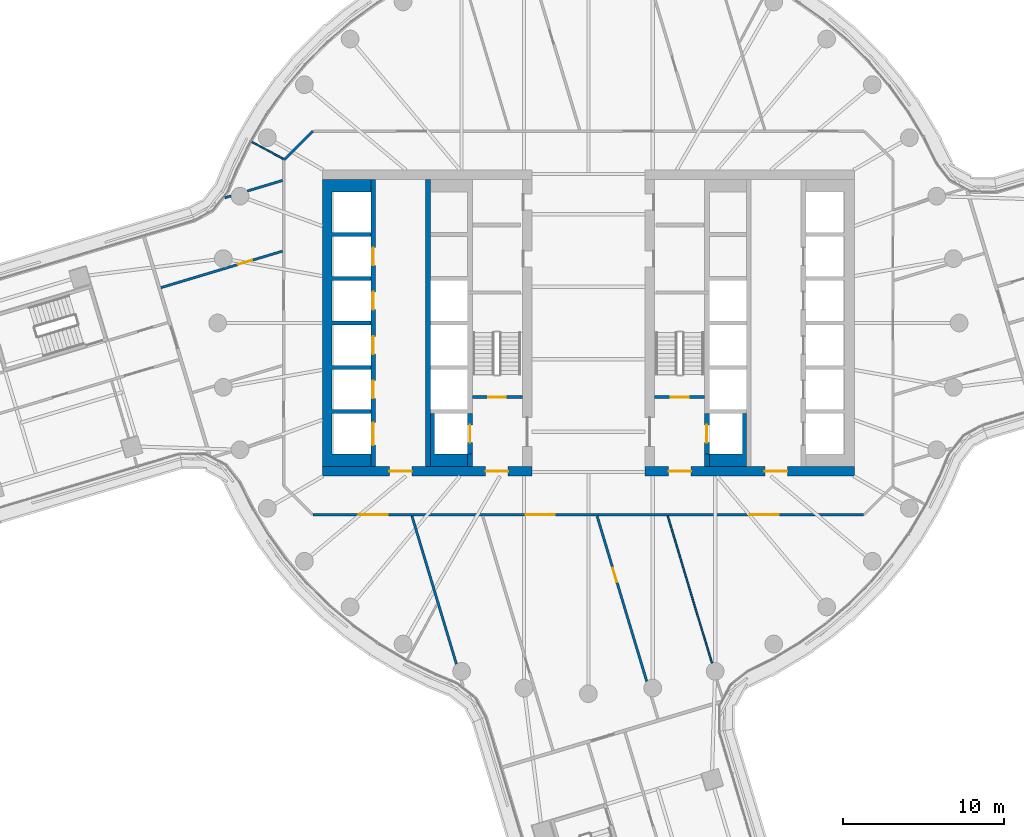
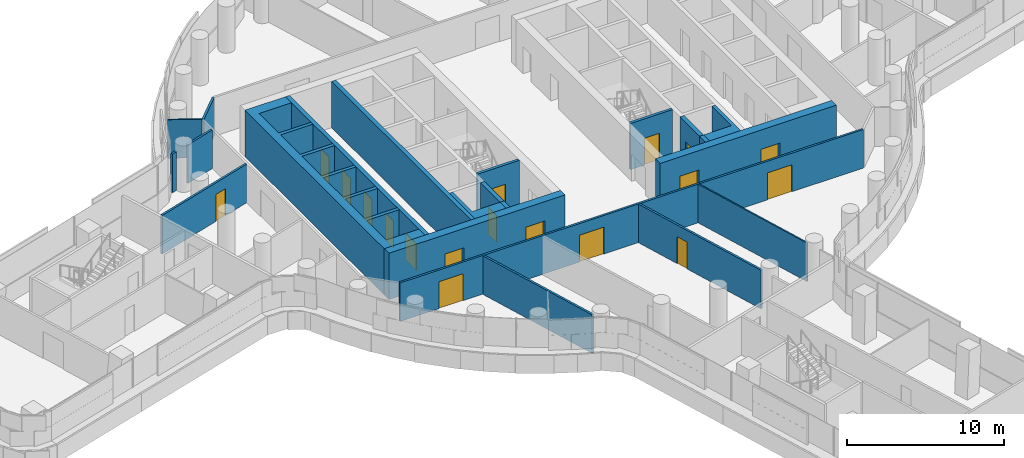
# One storey, part 19 of 32: 22 walls, 18 doors, 18 openings.
"""IFC4 building model written with IfcOpenShell, lengths in metres."""

import ifcopenshell
import ifcopenshell.guid

model = None  # the IFC model being written
_history = None  # IfcOwnerHistory: only IFC2X3 demands one
_inside = {}  # id of a spatial element -> (the spatial element, [elements in it])
_under = {}  # id of a project, library or spatial element -> (it, [spatial elements below it])
_declared = {}  # id of a project -> (the project, [libraries it declares])
_typed = {}  # id of a type object -> (the type object, [elements of that type])
_made_of = {}  # id of a material, layer set ... -> (it, [elements and type objects made of it])


def new_model(schema):
    """Start an empty IFC model of exactly this schema.

    Asked for "IFC4X3", IfcOpenShell would pick the latest addendum, in which some entities
    have other attributes; the version numbers below select the first issue.
    IFC2X3 requires an IfcOwnerHistory on every rooted entity: one is made here for all.
    """
    global model, _history
    if schema == "IFC4X3":
        model = ifcopenshell.file(schema_version=(4, 3, 0, 0))
    else:
        model = ifcopenshell.file(schema=schema)
    _inside.clear()
    _under.clear()
    _declared.clear()
    _typed.clear()
    _made_of.clear()
    _history = None
    if model.schema == "IFC2X3":
        org = make("IfcOrganization", Name="unknown")
        user = make(
            "IfcPersonAndOrganization",
            ThePerson=make("IfcPerson", FamilyName="unknown"),
            TheOrganization=org,
        )
        app = make(
            "IfcApplication",
            ApplicationDeveloper=org,
            Version="unknown",
            ApplicationFullName="unknown",
            ApplicationIdentifier="unknown",
        )
        _history = make(
            "IfcOwnerHistory",
            OwningUser=user,
            OwningApplication=app,
            ChangeAction="ADDED",
            CreationDate=0,
        )
    return model


def make(cls, **values):
    """One entity of the class cls with the attributes given. An attribute that is None is left unset."""
    return model.create_entity(
        cls, **{name: value for name, value in values.items() if value is not None}
    )


def rooted(cls, **values):
    """An entity with a GlobalId (a new one), such as an element, a storey or a relation."""
    return make(cls, GlobalId=ifcopenshell.guid.new(), OwnerHistory=_history, **values)


def si_unit(unit_type, name, prefix=None):
    """IfcSIUnit, for example si_unit("LENGTHUNIT", "METRE", prefix="MILLI")."""
    return make("IfcSIUnit", UnitType=unit_type, Prefix=prefix, Name=name)


def assignment(units):
    """IfcUnitAssignment: the units of a project."""
    return None if units is None else make("IfcUnitAssignment", Units=units)


def point(xyz):
    """IfcCartesianPoint."""
    return None if xyz is None else make("IfcCartesianPoint", Coordinates=xyz)


def direction(xyz):
    """IfcDirection."""
    return None if xyz is None else make("IfcDirection", DirectionRatios=xyz)


def frame(location, z_axis=None, x_axis=None):
    """IfcAxis2Placement3D, a coordinate frame: its origin and axes. An axis left out is left unset."""
    return make(
        "IfcAxis2Placement3D",
        Location=point(location),
        Axis=direction(z_axis),
        RefDirection=direction(x_axis),
    )


def frame_2d(location, x_axis=None):
    """IfcAxis2Placement2D, a coordinate frame in the plane: its origin and x axis."""
    return make(
        "IfcAxis2Placement2D", Location=point(location), RefDirection=direction(x_axis)
    )


def origin():
    """The frame at (0, 0, 0) with its axes left unset."""
    return frame((0.0, 0.0, 0.0))


def place(relative_to, where):
    """IfcLocalPlacement: puts the frame where relative to a parent placement (None: the world)."""
    return make(
        "IfcLocalPlacement", PlacementRelTo=relative_to, RelativePlacement=where
    )


def context(
    kind, dimensions, precision=None, world=None, true_north=None, identifier=None
):
    """IfcGeometricRepresentationContext, for example the 3D "Model" context."""
    return make(
        "IfcGeometricRepresentationContext",
        ContextIdentifier=identifier,
        ContextType=kind,
        CoordinateSpaceDimension=dimensions,
        Precision=precision,
        WorldCoordinateSystem=world,
        TrueNorth=true_north,
    )


def subcontext(parent, identifier, kind, view, scale=None):
    """IfcGeometricRepresentationSubContext, for example "Body" below "Model"."""
    return make(
        "IfcGeometricRepresentationSubContext",
        ContextIdentifier=identifier,
        ContextType=kind,
        ParentContext=parent,
        TargetScale=scale,
        TargetView=view,
    )


def project(units=None, contexts=None):
    """IfcProject with its units and contexts."""
    return rooted(
        "IfcProject",
        Name="project",
        RepresentationContexts=contexts,
        UnitsInContext=assignment(units),
    )


def spatial(cls, under=None, at=None, **own):
    """A site, building, storey or space (cls), placed at a placement, below another one or the project."""
    s = rooted(cls, ObjectPlacement=at, **own)
    if under is not None:
        _under.setdefault(under.id(), (under, []))[1].append(s)
    return s


def polyline(points):
    """IfcPolyline through the points."""
    return make("IfcPolyline", Points=[point(p) for p in points])


def profile(cls, at=None, kind="AREA", **sizes):
    """A parametric profile (cls). Its sizes go by their IFC names, for example OverallWidth=200.0."""
    return make(cls, ProfileType=kind, Position=at, **sizes)


def rectangle(**sizes):
    """IfcRectangleProfileDef."""
    return profile("IfcRectangleProfileDef", **sizes)


def outline(outer, holes=None, kind="AREA"):
    """IfcArbitraryClosedProfileDef: a profile drawn as a closed curve; with holes, ...WithVoids."""
    if holes is None:
        return make("IfcArbitraryClosedProfileDef", ProfileType=kind, OuterCurve=outer)
    return make(
        "IfcArbitraryProfileDefWithVoids",
        ProfileType=kind,
        OuterCurve=outer,
        InnerCurves=holes,
    )


def extrude(swept, where, along, depth):
    """IfcExtrudedAreaSolid: the profile swept, set in the frame where, extruded along a direction by depth."""
    return make(
        "IfcExtrudedAreaSolid",
        SweptArea=swept,
        Position=where,
        ExtrudedDirection=direction(along),
        Depth=depth,
    )


def shape(context_of_items, identifier, shape_type, items):
    """IfcShapeRepresentation: the items that make up one representation, for example the "Body"."""
    return make(
        "IfcShapeRepresentation",
        ContextOfItems=context_of_items,
        RepresentationIdentifier=identifier,
        RepresentationType=shape_type,
        Items=items,
    )


def material(Name=None, Category=None):
    """IfcMaterial."""
    return make("IfcMaterial", Name=Name, Category=Category)


def layer(
    of_material, thickness, ventilated=None, Name=None, Category=None, Priority=None
):
    """IfcMaterialLayer: one layer of a wall or slab, of a material (None: an air gap)."""
    return make(
        "IfcMaterialLayer",
        Material=of_material,
        LayerThickness=thickness,
        IsVentilated=ventilated,
        Name=Name,
        Category=Category,
        Priority=Priority,
    )


def layer_set(layers, Name=None):
    """IfcMaterialLayerSet."""
    return make("IfcMaterialLayerSet", MaterialLayers=layers, LayerSetName=Name)


def made_of(thing, what):
    """Note that an element or type object is made of a material, layer set ...; save() writes the relation."""
    if what is not None:
        _made_of.setdefault(what.id(), (what, []))[1].append(thing)
    return thing


def type_object(cls, material=None, **own):
    """A type object (cls), such as IfcWallType, which elements share."""
    return made_of(rooted(cls, **own), material)


def element(
    cls,
    number,
    at=None,
    inside=None,
    cuts=None,
    type_object=None,
    material=None,
    context=None,
    identifier="Body",
    shape_type=None,
    held_by="IfcProductDefinitionShape",
    body=None,
    shapes=None,
    **own,
):
    """One element of the class cls, such as IfcWall. Its Tag is "e" and its number.

    at: its placement. inside: the storey or other place that contains it. cuts: it is an
    opening in that element (IfcRelVoidsElement). A single representation is given by context,
    identifier, shape_type and body (its items); several are given by shapes. held_by: the class
    of the entity that holds the representations. save() writes the other relations.
    """
    e = rooted(cls, Tag="e%d" % number, ObjectPlacement=at, **own)
    if body is not None:
        shapes = [shape(context, identifier, shape_type, body)]
    if shapes is not None:
        e.Representation = make(held_by, Representations=shapes)
    if inside is not None:
        _inside.setdefault(inside.id(), (inside, []))[1].append(e)
    if cuts is not None:
        rooted(
            "IfcRelVoidsElement", RelatingBuildingElement=cuts, RelatedOpeningElement=e
        )
    if type_object is not None:
        _typed.setdefault(type_object.id(), (type_object, []))[1].append(e)
    return made_of(e, material)


def fill(opening, filler):
    """IfcRelFillsElement: the door or window that sits in an opening."""
    return rooted(
        "IfcRelFillsElement",
        RelatingOpeningElement=opening,
        RelatedBuildingElement=filler,
    )


def aggregate(whole, parts):
    """IfcRelAggregates: a whole, such as a stair, and the parts it consists of."""
    return rooted("IfcRelAggregates", RelatingObject=whole, RelatedObjects=parts)


def save(model, path):
    """Write the relations noted so far, then the file.

    IfcRelAggregates (storeys below a building ...), IfcRelContainedInSpatialStructure (elements
    in a storey), IfcRelDefinesByType, IfcRelAssociatesMaterial and IfcRelDeclares: one each for
    every whole, place, type object, material and project.
    """
    for whole, parts in _under.values():
        aggregate(whole, parts)
    for where, things in _inside.values():
        rooted(
            "IfcRelContainedInSpatialStructure",
            RelatedElements=things,
            RelatingStructure=where,
        )
    for kind, things in _typed.values():
        rooted("IfcRelDefinesByType", RelatedObjects=things, RelatingType=kind)
    for what, things in _made_of.values():
        rooted("IfcRelAssociatesMaterial", RelatedObjects=things, RelatingMaterial=what)
    for by, libraries in _declared.values():
        rooted("IfcRelDeclares", RelatingContext=by, RelatedDefinitions=libraries)
    model.write(path)


model = new_model("IFC4")

# Units and contexts
model_context = context("Model", 3, precision=1e-05, world=origin(), true_north=direction((0.0, 1.0)))
body_context = subcontext(model_context, "Body", "Model", "MODEL_VIEW")
ifc_project = project(units=[si_unit("LENGTHUNIT", "METRE"), si_unit("AREAUNIT", "SQUARE_METRE"), si_unit("VOLUMEUNIT", "CUBIC_METRE"), si_unit("PLANEANGLEUNIT", "RADIAN"), si_unit("MASSUNIT", "GRAM", prefix="KILO")], contexts=[model_context])

# Site, building, storey
site_placement = place(None, origin())
site = spatial("IfcSite", under=ifc_project, at=site_placement, CompositionType="ELEMENT")
building_placement = place(site_placement, origin())
building = spatial("IfcBuilding", under=site, at=building_placement, Name="Tamarind Cross Interchange Tower", CompositionType="ELEMENT")
storey_placement = place(building_placement, frame((0.0, 0.0, 94.75)))
storey = spatial("IfcBuildingStorey", under=building, at=storey_placement, Name="L22", CompositionType="ELEMENT", Elevation=94.75)

# Wall, openings, doors
ifc_material_1 = material(Name="Concrete C70", Category="concrete")
ifc_layer_1 = layer(ifc_material_1, 0.60009765625)
ifc_layer_set_1 = layer_set([ifc_layer_1], Name="Concrete C70")
wall_type_1 = type_object("IfcWallType", Name="Core wall 600 mm Concrete C70", PredefinedType="SHEAR", material=ifc_layer_set_1)
wall_1_placement = place(storey_placement, frame((-16.5, -9.199951171875, 0.0), z_axis=(0.0, 0.0, 1.0), x_axis=(1.0, 0.0, 0.0)))
wall_1 = element("IfcWall", 1, at=wall_1_placement, inside=storey, type_object=wall_type_1, Name="Core wall CWL-L22-W-S", PredefinedType="SHEAR", context=body_context, shape_type="SweptSolid", body=[
    extrude(rectangle(XDim=13.0, YDim=0.60009765625, at=frame_2d((6.5, 0.0))), origin(), (0.0, 0.0, 1.0), 3.610107421875),
])
opening_1_placement = place(wall_1_placement, frame((4.14990234375, 0.0, 0.0)))
opening_1 = element("IfcOpeningElement", 2, at=opening_1_placement, cuts=wall_1, Name="Opening DCW1", PredefinedType="OPENING", context=body_context, shape_type="SweptSolid", body=[
    extrude(rectangle(XDim=1.39990234375, YDim=2.10009765625, at=frame_2d((0.699951171875, 1.050048828125))), frame((0.0, 0.31005859375, 0.0), z_axis=(0.0, -1.0, 0.0), x_axis=(1.0, 0.0, 0.0)), (0.0, 0.0, 1.0), 0.6201171875),
])
opening_2_placement = place(wall_1_placement, frame((10.125, 0.0, 0.0)))
opening_2 = element("IfcOpeningElement", 3, at=opening_2_placement, cuts=wall_1, Name="Opening DCWF", PredefinedType="OPENING", context=body_context, shape_type="SweptSolid", body=[
    extrude(rectangle(XDim=1.39990234375, YDim=2.10009765625, at=frame_2d((0.699951171875, 1.050048828125))), frame((0.0, 0.31005859375, 0.0), z_axis=(0.0, -1.0, 0.0), x_axis=(1.0, 0.0, 0.0)), (0.0, 0.0, 1.0), 0.6201171875),
])
ifc_material_2 = material(Name="Steel, fire-resisting", Category="steel")
door_type_1 = type_object("IfcDoorType", Name="Core fire door 1400 x 2100 FD90", OperationType="SINGLE_SWING_LEFT", PredefinedType="DOOR", material=ifc_material_2)
door_1_placement = place(opening_1_placement, origin())
door_1 = element("IfcDoor", 4, at=door_1_placement, inside=storey, type_object=door_type_1, Name="L22 lift lobby door", OperationType="SINGLE_SWING_LEFT", OverallHeight=2.10009765625, OverallWidth=1.39990234375, PredefinedType="DOOR", context=body_context, shape_type="SweptSolid", body=[
    extrude(rectangle(XDim=1.39990234375, YDim=2.10009765625, at=frame_2d((0.699951171875, 1.050048828125))), frame((0.0, 0.02490234375, 0.0), z_axis=(0.0, -1.0, 0.0), x_axis=(1.0, 0.0, 0.0)), (0.0, 0.0, 1.0), 0.050048828125),
])
fill(opening_1, door_1)
door_2_placement = place(opening_2_placement, origin())
door_2 = element("IfcDoor", 5, at=door_2_placement, inside=storey, type_object=door_type_1, Name="L22 firefighting lobby end door", OperationType="SINGLE_SWING_LEFT", OverallHeight=2.10009765625, OverallWidth=1.39990234375, PredefinedType="DOOR", context=body_context, shape_type="SweptSolid", body=[
    extrude(rectangle(XDim=1.39990234375, YDim=2.10009765625, at=frame_2d((0.699951171875, 1.050048828125))), frame((0.0, 0.02490234375, 0.0), z_axis=(0.0, -1.0, 0.0), x_axis=(1.0, 0.0, 0.0)), (0.0, 0.0, 1.0), 0.050048828125),
])
fill(opening_2, door_2)

# Wall
wall_2_placement = place(storey_placement, origin())
element("IfcWall", 6, at=wall_2_placement, inside=storey, type_object=wall_type_1, Name="Core wall CWL-L22-W-A", PredefinedType="SHEAR", context=body_context, shape_type="SweptSolid", body=[
    extrude(outline(polyline([(-13.5, -8.89990234375), (-13.5, -8.125), (-15.89990234375, -8.125), (-15.89990234375, -5.625), (-13.5, -5.625), (-13.5, -5.375), (-15.89990234375, -5.375), (-15.89990234375, -2.875), (-13.5, -2.875), (-13.5, -2.625), (-15.89990234375, -2.625), (-15.89990234375, -0.125), (-13.5, -0.125), (-13.5, 0.125), (-15.89990234375, 0.125), (-15.89990234375, 2.625), (-13.5, 2.625), (-13.5, 2.875), (-15.89990234375, 2.875), (-15.89990234375, 5.375), (-13.5, 5.375), (-13.5, 5.625), (-15.89990234375, 5.625), (-15.89990234375, 8.125), (-13.5, 8.125), (-13.5, 8.89990234375), (-15.89990234375, 8.89990234375), (-16.5, 8.89990234375), (-16.5, -8.89990234375), (-15.89990234375, -8.89990234375), (-13.5, -8.89990234375)])), origin(), (0.0, 0.0, 1.0), 3.610107421875),
])

# Wall, openings, doors
wall_3_placement = place(storey_placement, frame((16.5, -9.199951171875, 0.0), z_axis=(0.0, 0.0, 1.0), x_axis=(-1.0, 0.0, 0.0)))
wall_3 = element("IfcWall", 7, at=wall_3_placement, inside=storey, type_object=wall_type_1, Name="Core wall CWL-L22-E-S", PredefinedType="SHEAR", context=body_context, shape_type="SweptSolid", body=[
    extrude(rectangle(XDim=13.0, YDim=0.60009765625, at=frame_2d((6.5, 0.0))), origin(), (0.0, 0.0, 1.0), 3.610107421875),
])
opening_3_placement = place(wall_3_placement, frame((4.14990234375, 0.0, 0.0)))
opening_3 = element("IfcOpeningElement", 8, at=opening_3_placement, cuts=wall_3, Name="Opening DCE1", PredefinedType="OPENING", context=body_context, shape_type="SweptSolid", body=[
    extrude(rectangle(XDim=1.39990234375, YDim=2.10009765625, at=frame_2d((0.699951171875, 1.050048828125))), frame((0.0, 0.31005859375, 0.0), z_axis=(0.0, -1.0, 0.0), x_axis=(1.0, 0.0, 0.0)), (0.0, 0.0, 1.0), 0.6201171875),
])
opening_4_placement = place(wall_3_placement, frame((10.125, 0.0, 0.0)))
opening_4 = element("IfcOpeningElement", 9, at=opening_4_placement, cuts=wall_3, Name="Opening DCEF", PredefinedType="OPENING", context=body_context, shape_type="SweptSolid", body=[
    extrude(rectangle(XDim=1.39990234375, YDim=2.10009765625, at=frame_2d((0.699951171875, 1.050048828125))), frame((0.0, 0.31005859375, 0.0), z_axis=(0.0, -1.0, 0.0), x_axis=(1.0, 0.0, 0.0)), (0.0, 0.0, 1.0), 0.6201171875),
])
door_3_placement = place(opening_3_placement, origin())
door_3 = element("IfcDoor", 10, at=door_3_placement, inside=storey, type_object=door_type_1, Name="L22 lift lobby door", OperationType="SINGLE_SWING_LEFT", OverallHeight=2.10009765625, OverallWidth=1.39990234375, PredefinedType="DOOR", context=body_context, shape_type="SweptSolid", body=[
    extrude(rectangle(XDim=1.39990234375, YDim=2.10009765625, at=frame_2d((0.699951171875, 1.050048828125))), frame((0.0, 0.02490234375, 0.0), z_axis=(0.0, -1.0, 0.0), x_axis=(1.0, 0.0, 0.0)), (0.0, 0.0, 1.0), 0.050048828125),
])
fill(opening_3, door_3)
door_4_placement = place(opening_4_placement, origin())
door_4 = element("IfcDoor", 11, at=door_4_placement, inside=storey, type_object=door_type_1, Name="L22 firefighting lobby end door", OperationType="SINGLE_SWING_LEFT", OverallHeight=2.10009765625, OverallWidth=1.39990234375, PredefinedType="DOOR", context=body_context, shape_type="SweptSolid", body=[
    extrude(rectangle(XDim=1.39990234375, YDim=2.10009765625, at=frame_2d((0.699951171875, 1.050048828125))), frame((0.0, 0.02490234375, 0.0), z_axis=(0.0, -1.0, 0.0), x_axis=(1.0, 0.0, 0.0)), (0.0, 0.0, 1.0), 0.050048828125),
])
fill(opening_4, door_4)

# Walls
ifc_layer_2 = layer(ifc_material_1, 0.300048828125)
ifc_layer_set_2 = layer_set([ifc_layer_2], Name="Concrete C70")
wall_type_2 = type_object("IfcWallType", Name="Core web wall 300 mm Concrete C70", PredefinedType="SHEAR", material=ifc_layer_set_2)
wall_4_placement = place(storey_placement, origin())
element("IfcWall", 12, at=wall_4_placement, inside=storey, type_object=wall_type_2, Name="Core wall CWL-L22-W-BS", PredefinedType="SHEAR", context=body_context, shape_type="SweptSolid", body=[
    extrude(outline(polyline([(-7.5, -8.125), (-9.550048828125, -8.125), (-9.550048828125, -5.625), (-9.800048828125, -5.625), (-9.800048828125, -8.125), (-9.800048828125, -8.89990234375), (-7.5, -8.89990234375), (-7.5, -8.125)])), origin(), (0.0, 0.0, 1.0), 3.610107421875),
])
wall_5_placement = place(storey_placement, frame((-7.35009765625, -8.89990234375, 0.0), z_axis=(0.0, 0.0, 1.0), x_axis=(0.0, 1.0, 0.0)))
element("IfcWall", 13, at=wall_5_placement, inside=storey, type_object=wall_type_2, Name="Core wall CWL-L22-W-BW", PredefinedType="SHEAR", context=body_context, shape_type="SweptSolid", body=[
    extrude(rectangle(XDim=0.77490234375, YDim=0.300048828125, at=frame_2d((0.387451171875, 0.0))), origin(), (0.0, 0.0, 1.0), 3.610107421875),
])

# Wall, openings, doors
wall_6_placement = place(storey_placement, frame((-13.35009765625, -8.89990234375, 0.0), z_axis=(0.0, 0.0, 1.0), x_axis=(0.0, 1.0, 0.0)))
wall_6 = element("IfcWall", 14, at=wall_6_placement, inside=storey, type_object=wall_type_2, Name="Core wall CWL-L22-W-LA", PredefinedType="SHEAR", context=body_context, shape_type="SweptSolid", body=[
    extrude(rectangle(XDim=17.7998046875, YDim=0.300048828125, at=frame_2d((8.89990234375, 0.0))), origin(), (0.0, 0.0, 1.0), 3.610107421875),
])
opening_5_placement = place(wall_6_placement, frame((1.324951171875, 0.0, 0.0)))
opening_5 = element("IfcOpeningElement", 15, at=opening_5_placement, cuts=wall_6, Name="Opening LD1L22", PredefinedType="OPENING", context=body_context, shape_type="SweptSolid", body=[
    extrude(rectangle(XDim=1.39990234375, YDim=2.10009765625, at=frame_2d((0.699951171875, 1.050048828125))), frame((0.0, 0.159912109375, 0.0), z_axis=(0.0, -1.0, 0.0), x_axis=(1.0, 0.0, 0.0)), (0.0, 0.0, 1.0), 0.320068359375),
])
opening_6_placement = place(wall_6_placement, frame((4.22509765625, 0.0, 0.0)))
opening_6 = element("IfcOpeningElement", 16, at=opening_6_placement, cuts=wall_6, Name="Opening LD2L22", PredefinedType="OPENING", context=body_context, shape_type="SweptSolid", body=[
    extrude(rectangle(XDim=1.10009765625, YDim=2.10009765625, at=frame_2d((0.550048828125, 1.050048828125))), frame((0.0, 0.159912109375, 0.0), z_axis=(0.0, -1.0, 0.0), x_axis=(1.0, 0.0, 0.0)), (0.0, 0.0, 1.0), 0.320068359375),
])
opening_7_placement = place(wall_6_placement, frame((6.97509765625, 0.0, 0.0)))
opening_7 = element("IfcOpeningElement", 17, at=opening_7_placement, cuts=wall_6, Name="Opening LD3L22", PredefinedType="OPENING", context=body_context, shape_type="SweptSolid", body=[
    extrude(rectangle(XDim=1.10009765625, YDim=2.10009765625, at=frame_2d((0.550048828125, 1.050048828125))), frame((0.0, 0.159912109375, 0.0), z_axis=(0.0, -1.0, 0.0), x_axis=(1.0, 0.0, 0.0)), (0.0, 0.0, 1.0), 0.320068359375),
])
opening_8_placement = place(wall_6_placement, frame((9.72509765625, 0.0, 0.0)))
opening_8 = element("IfcOpeningElement", 18, at=opening_8_placement, cuts=wall_6, Name="Opening LD4L22", PredefinedType="OPENING", context=body_context, shape_type="SweptSolid", body=[
    extrude(rectangle(XDim=1.10009765625, YDim=2.10009765625, at=frame_2d((0.550048828125, 1.050048828125))), frame((0.0, 0.159912109375, 0.0), z_axis=(0.0, -1.0, 0.0), x_axis=(1.0, 0.0, 0.0)), (0.0, 0.0, 1.0), 0.320068359375),
])
opening_9_placement = place(wall_6_placement, frame((12.47509765625, 0.0, 0.0)))
opening_9 = element("IfcOpeningElement", 19, at=opening_9_placement, cuts=wall_6, Name="Opening LD5L22", PredefinedType="OPENING", context=body_context, shape_type="SweptSolid", body=[
    extrude(rectangle(XDim=1.10009765625, YDim=2.10009765625, at=frame_2d((0.550048828125, 1.050048828125))), frame((0.0, 0.159912109375, 0.0), z_axis=(0.0, -1.0, 0.0), x_axis=(1.0, 0.0, 0.0)), (0.0, 0.0, 1.0), 0.320068359375),
])
ifc_material_3 = material(Name="Stainless steel panel", Category="steel")
door_type_2 = type_object("IfcDoorType", Name="Lift landing door 1100 x 2100 E 120", OperationType="SLIDING_TO_LEFT", PredefinedType="DOOR", material=ifc_material_3)
door_5_placement = place(opening_6_placement, origin())
door_5 = element("IfcDoor", 20, at=door_5_placement, inside=storey, type_object=door_type_2, Name="L22 landing door LF2", OperationType="SLIDING_TO_LEFT", OverallHeight=2.10009765625, OverallWidth=1.10009765625, PredefinedType="DOOR", context=body_context, shape_type="SweptSolid", body=[
    extrude(rectangle(XDim=1.10009765625, YDim=2.10009765625, at=frame_2d((0.550048828125, 1.050048828125))), frame((0.0, 0.02490234375, 0.0), z_axis=(0.0, -1.0, 0.0), x_axis=(1.0, 0.0, 0.0)), (0.0, 0.0, 1.0), 0.050048828125),
])
fill(opening_6, door_5)
door_6_placement = place(opening_7_placement, origin())
door_6 = element("IfcDoor", 21, at=door_6_placement, inside=storey, type_object=door_type_2, Name="L22 landing door LF3", OperationType="SLIDING_TO_LEFT", OverallHeight=2.10009765625, OverallWidth=1.10009765625, PredefinedType="DOOR", context=body_context, shape_type="SweptSolid", body=[
    extrude(rectangle(XDim=1.10009765625, YDim=2.10009765625, at=frame_2d((0.550048828125, 1.050048828125))), frame((0.0, 0.02490234375, 0.0), z_axis=(0.0, -1.0, 0.0), x_axis=(1.0, 0.0, 0.0)), (0.0, 0.0, 1.0), 0.050048828125),
])
fill(opening_7, door_6)
door_7_placement = place(opening_8_placement, origin())
door_7 = element("IfcDoor", 22, at=door_7_placement, inside=storey, type_object=door_type_2, Name="L22 landing door LF4", OperationType="SLIDING_TO_LEFT", OverallHeight=2.10009765625, OverallWidth=1.10009765625, PredefinedType="DOOR", context=body_context, shape_type="SweptSolid", body=[
    extrude(rectangle(XDim=1.10009765625, YDim=2.10009765625, at=frame_2d((0.550048828125, 1.050048828125))), frame((0.0, 0.02490234375, 0.0), z_axis=(0.0, -1.0, 0.0), x_axis=(1.0, 0.0, 0.0)), (0.0, 0.0, 1.0), 0.050048828125),
])
fill(opening_8, door_7)
door_8_placement = place(opening_9_placement, origin())
door_8 = element("IfcDoor", 23, at=door_8_placement, inside=storey, type_object=door_type_2, Name="L22 landing door LF5", OperationType="SLIDING_TO_LEFT", OverallHeight=2.10009765625, OverallWidth=1.10009765625, PredefinedType="DOOR", context=body_context, shape_type="SweptSolid", body=[
    extrude(rectangle(XDim=1.10009765625, YDim=2.10009765625, at=frame_2d((0.550048828125, 1.050048828125))), frame((0.0, 0.02490234375, 0.0), z_axis=(0.0, -1.0, 0.0), x_axis=(1.0, 0.0, 0.0)), (0.0, 0.0, 1.0), 0.050048828125),
])
fill(opening_9, door_8)
door_type_3 = type_object("IfcDoorType", Name="Lift landing door 1400 x 2100 E 120", OperationType="SLIDING_TO_LEFT", PredefinedType="DOOR", material=ifc_material_3)
door_9_placement = place(opening_5_placement, origin())
door_9 = element("IfcDoor", 24, at=door_9_placement, inside=storey, type_object=door_type_3, Name="L22 landing door LF1", OperationType="SLIDING_TO_LEFT", OverallHeight=2.10009765625, OverallWidth=1.39990234375, PredefinedType="DOOR", context=body_context, shape_type="SweptSolid", body=[
    extrude(rectangle(XDim=1.39990234375, YDim=2.10009765625, at=frame_2d((0.699951171875, 1.050048828125))), frame((0.0, 0.02490234375, 0.0), z_axis=(0.0, -1.0, 0.0), x_axis=(1.0, 0.0, 0.0)), (0.0, 0.0, 1.0), 0.050048828125),
])
fill(opening_5, door_9)

# Wall
wall_7_placement = place(storey_placement, frame((-9.949951171875, -8.89990234375, 0.0), z_axis=(0.0, 0.0, 1.0), x_axis=(0.0, 1.0, 0.0)))
element("IfcWall", 25, at=wall_7_placement, inside=storey, type_object=wall_type_2, Name="Core wall CWL-L22-W-LB", PredefinedType="SHEAR", context=body_context, shape_type="SweptSolid", body=[
    extrude(rectangle(XDim=17.7998046875, YDim=0.300048828125, at=frame_2d((8.89990234375, 0.0))), origin(), (0.0, 0.0, 1.0), 3.610107421875),
])

# Wall, opening, door
wall_8_placement = place(storey_placement, frame((-7.35009765625, -8.125, 0.0), z_axis=(0.0, 0.0, 1.0), x_axis=(0.0, 1.0, 0.0)))
wall_8 = element("IfcWall", 26, at=wall_8_placement, inside=storey, type_object=wall_type_2, Name="Core wall CWL-L22-W-FF", PredefinedType="SHEAR", context=body_context, shape_type="SweptSolid", body=[
    extrude(rectangle(XDim=2.5, YDim=0.300048828125, at=frame_2d((1.25, 0.0))), origin(), (0.0, 0.0, 1.0), 3.610107421875),
])
opening_10_placement = place(wall_8_placement, frame((0.699951171875, 0.0, 0.0)))
opening_10 = element("IfcOpeningElement", 27, at=opening_10_placement, cuts=wall_8, Name="Opening LD7L22", PredefinedType="OPENING", context=body_context, shape_type="SweptSolid", body=[
    extrude(rectangle(XDim=1.10009765625, YDim=2.10009765625, at=frame_2d((0.550048828125, 1.050048828125))), frame((0.0, 0.159912109375, 0.0), z_axis=(0.0, -1.0, 0.0), x_axis=(1.0, 0.0, 0.0)), (0.0, 0.0, 1.0), 0.320068359375),
])
door_10_placement = place(opening_10_placement, origin())
door_10 = element("IfcDoor", 28, at=door_10_placement, inside=storey, type_object=door_type_2, Name="L22 landing door LF7", OperationType="SLIDING_TO_LEFT", OverallHeight=2.10009765625, OverallWidth=1.10009765625, PredefinedType="DOOR", context=body_context, shape_type="SweptSolid", body=[
    extrude(rectangle(XDim=1.10009765625, YDim=2.10009765625, at=frame_2d((0.550048828125, 1.050048828125))), frame((0.0, 0.02490234375, 0.0), z_axis=(0.0, -1.0, 0.0), x_axis=(1.0, 0.0, 0.0)), (0.0, 0.0, 1.0), 0.050048828125),
])
fill(opening_10, door_10)

# Walls
wall_9_placement = place(storey_placement, origin())
element("IfcWall", 29, at=wall_9_placement, inside=storey, type_object=wall_type_2, Name="Core wall CWL-L22-E-BS", PredefinedType="SHEAR", context=body_context, shape_type="SweptSolid", body=[
    extrude(outline(polyline([(7.5, -8.125), (7.5, -8.89990234375), (9.800048828125, -8.89990234375), (9.800048828125, -8.125), (9.800048828125, -5.625), (9.550048828125, -5.625), (9.550048828125, -8.125), (7.5, -8.125)])), origin(), (0.0, 0.0, 1.0), 3.610107421875),
])
wall_10_placement = place(storey_placement, frame((7.35009765625, -8.89990234375, 0.0), z_axis=(0.0, 0.0, 1.0), x_axis=(0.0, 1.0, 0.0)))
element("IfcWall", 30, at=wall_10_placement, inside=storey, type_object=wall_type_2, Name="Core wall CWL-L22-E-BW", PredefinedType="SHEAR", context=body_context, shape_type="SweptSolid", body=[
    extrude(rectangle(XDim=0.77490234375, YDim=0.300048828125, at=frame_2d((0.387451171875, 0.0))), origin(), (0.0, 0.0, 1.0), 3.610107421875),
])

# Wall, opening, door
wall_11_placement = place(storey_placement, frame((7.35009765625, -8.125, 0.0), z_axis=(0.0, 0.0, 1.0), x_axis=(0.0, 1.0, 0.0)))
wall_11 = element("IfcWall", 31, at=wall_11_placement, inside=storey, type_object=wall_type_2, Name="Core wall CWL-L22-E-FF", PredefinedType="SHEAR", context=body_context, shape_type="SweptSolid", body=[
    extrude(rectangle(XDim=2.5, YDim=0.300048828125, at=frame_2d((1.25, 0.0))), origin(), (0.0, 0.0, 1.0), 3.610107421875),
])
opening_11_placement = place(wall_11_placement, frame((0.699951171875, 0.0, 0.0)))
opening_11 = element("IfcOpeningElement", 32, at=opening_11_placement, cuts=wall_11, Name="Opening LD19L22", PredefinedType="OPENING", context=body_context, shape_type="SweptSolid", body=[
    extrude(rectangle(XDim=1.10009765625, YDim=2.10009765625, at=frame_2d((0.550048828125, 1.050048828125))), frame((0.0, 0.159912109375, 0.0), z_axis=(0.0, -1.0, 0.0), x_axis=(1.0, 0.0, 0.0)), (0.0, 0.0, 1.0), 0.320068359375),
])
door_11_placement = place(opening_11_placement, origin())
door_11 = element("IfcDoor", 33, at=door_11_placement, inside=storey, type_object=door_type_2, Name="L22 landing door LF19", OperationType="SLIDING_TO_LEFT", OverallHeight=2.10009765625, OverallWidth=1.10009765625, PredefinedType="DOOR", context=body_context, shape_type="SweptSolid", body=[
    extrude(rectangle(XDim=1.10009765625, YDim=2.10009765625, at=frame_2d((0.550048828125, 1.050048828125))), frame((0.0, 0.02490234375, 0.0), z_axis=(0.0, -1.0, 0.0), x_axis=(1.0, 0.0, 0.0)), (0.0, 0.0, 1.0), 0.050048828125),
])
fill(opening_11, door_11)

# Walls
ifc_material_4 = material(Name="Gypsum board partition on steel studs", Category="steel")
ifc_layer_3 = layer(ifc_material_4, 0.10009765625)
ifc_layer_set_3 = layer_set([ifc_layer_3], Name="Gypsum board partition on steel studs")
wall_type_3 = type_object("IfcWallType", Name="Partition 100 mm EI 90", PredefinedType="PARTITIONING", material=ifc_layer_set_3)
wall_12_placement = place(storey_placement, frame((4.923583984375, -11.9716796875, 0.0), z_axis=(0.0, 0.0, 1.0), x_axis=(0.287634372124, -0.95774029255, 0.0)))
element("IfcWall", 34, at=wall_12_placement, inside=storey, type_object=wall_type_3, Name="Partition L22-025", PredefinedType="PARTITIONING", context=body_context, shape_type="SweptSolid", body=[
    extrude(rectangle(XDim=9.537841796875, YDim=0.10009765625, at=frame_2d((4.76904296875, 0.0))), origin(), (0.0, 0.0, 1.0), 3.010009765625),
])
wall_13_placement = place(storey_placement, frame((-20.8642578125, 11.2265625, 0.0), z_axis=(0.0, 0.0, 1.0), x_axis=(0.880553155986, -0.4739474016, 0.0)))
element("IfcWall", 35, at=wall_13_placement, inside=storey, type_object=wall_type_3, Name="Partition L22-036", PredefinedType="PARTITIONING", context=body_context, shape_type="SweptSolid", body=[
    extrude(rectangle(XDim=2.197021484375, YDim=0.10009765625, at=frame_2d((1.0986328125, 0.0))), origin(), (0.0, 0.0, 1.0), 3.010009765625),
])
ifc_layer_4 = layer(ifc_material_4, 0.14990234375)
ifc_layer_set_4 = layer_set([ifc_layer_4], Name="Gypsum board partition on steel studs")
wall_type_4 = type_object("IfcWallType", Name="Partition 150 mm EI 120", PredefinedType="PARTITIONING", material=ifc_layer_set_4)
wall_14_placement = place(storey_placement, frame((-10.946044921875, -11.9765625, 0.0), z_axis=(0.0, 0.0, 1.0), x_axis=(0.287700322185, -0.957720483552, 0.0)))
element("IfcWall", 36, at=wall_14_placement, inside=storey, type_object=wall_type_4, Name="Partition L22-007", PredefinedType="PARTITIONING", context=body_context, shape_type="SweptSolid", body=[
    extrude(rectangle(XDim=9.595947265625, YDim=0.14990234375, at=frame_2d((4.7978515625, 0.0))), origin(), (0.0, 0.0, 1.0), 3.010009765625),
])

# Wall, opening, door
wall_15_placement = place(storey_placement, frame((0.5400390625, -11.9765625, 0.0), z_axis=(0.0, 0.0, 1.0), x_axis=(0.287594189751, -0.957752359444, 0.0)))
wall_15 = element("IfcWall", 37, at=wall_15_placement, inside=storey, type_object=wall_type_4, Name="Partition L22-020", PredefinedType="PARTITIONING", context=body_context, shape_type="SweptSolid", body=[
    extrude(rectangle(XDim=10.730224609375, YDim=0.14990234375, at=frame_2d((5.365234375, 0.0))), origin(), (0.0, 0.0, 1.0), 3.010009765625),
])
opening_12_placement = place(wall_15_placement, frame((3.3701171875, 0.0, 0.0)))
opening_12 = element("IfcOpeningElement", 38, at=opening_12_placement, cuts=wall_15, Name="Opening D15", PredefinedType="OPENING", context=body_context, shape_type="SweptSolid", body=[
    extrude(rectangle(XDim=0.89990234375, YDim=2.10009765625, at=frame_2d((0.449951171875, 1.050048828125))), frame((0.0, 0.0849609375, 0.0), z_axis=(0.0, -1.0, 0.0), x_axis=(1.0, 0.0, 0.0)), (0.0, 0.0, 1.0), 0.169921875),
])
ifc_material_5 = material(Name="Fire-resisting door set")
door_type_4 = type_object("IfcDoorType", Name="Interior door 900 x 2100 FD60S", OperationType="SINGLE_SWING_LEFT", PredefinedType="DOOR", material=ifc_material_5)
door_12_placement = place(opening_12_placement, origin())
door_12 = element("IfcDoor", 39, at=door_12_placement, inside=storey, type_object=door_type_4, Name="Door D15", OperationType="SINGLE_SWING_RIGHT", OverallHeight=2.10009765625, OverallWidth=0.89990234375, PredefinedType="DOOR", context=body_context, shape_type="SweptSolid", body=[
    extrude(rectangle(XDim=0.89990234375, YDim=2.10009765625, at=frame_2d((0.449951171875, 1.050048828125))), frame((0.0, 0.02490234375, 0.0), z_axis=(0.0, -1.0, 0.0), x_axis=(1.0, 0.0, 0.0)), (0.0, 0.0, 1.0), 0.050048828125),
])
fill(opening_12, door_12)

# Wall, openings, doors
wall_16_placement = place(storey_placement, frame((-17.10009765625, -11.89990234375, 0.0), z_axis=(0.0, 0.0, 1.0), x_axis=(1.0, 0.0, 0.0)))
wall_16 = element("IfcWall", 40, at=wall_16_placement, inside=storey, type_object=wall_type_4, Name="Partition L22-038", PredefinedType="PARTITIONING", context=body_context, shape_type="SweptSolid", body=[
    extrude(rectangle(XDim=34.1650390625, YDim=0.14990234375, at=frame_2d((17.08251953125, 0.0))), origin(), (0.0, 0.0, 1.0), 3.010009765625),
])
opening_13_placement = place(wall_16_placement, frame((13.217041015625, 0.0, 0.0)))
opening_13 = element("IfcOpeningElement", 41, at=opening_13_placement, cuts=wall_16, Name="Opening D22", PredefinedType="OPENING", context=body_context, shape_type="SweptSolid", body=[
    extrude(rectangle(XDim=1.800048828125, YDim=2.10009765625, at=frame_2d((0.89990234375, 1.050048828125))), frame((0.0, 0.0849609375, 0.0), z_axis=(0.0, -1.0, 0.0), x_axis=(1.0, 0.0, 0.0)), (0.0, 0.0, 1.0), 0.169921875),
])
opening_14_placement = place(wall_16_placement, frame((2.85009765625, 0.0, 0.0)))
opening_14 = element("IfcOpeningElement", 42, at=opening_14_placement, cuts=wall_16, Name="Opening D23", PredefinedType="OPENING", context=body_context, shape_type="SweptSolid", body=[
    extrude(rectangle(XDim=1.800048828125, YDim=2.10009765625, at=frame_2d((0.89990234375, 1.050048828125))), frame((0.0, 0.0849609375, 0.0), z_axis=(0.0, -1.0, 0.0), x_axis=(1.0, 0.0, 0.0)), (0.0, 0.0, 1.0), 0.169921875),
])
opening_15_placement = place(wall_16_placement, frame((27.10205078125, 0.0, 0.0)))
opening_15 = element("IfcOpeningElement", 43, at=opening_15_placement, cuts=wall_16, Name="Opening D24", PredefinedType="OPENING", context=body_context, shape_type="SweptSolid", body=[
    extrude(rectangle(XDim=1.800048828125, YDim=2.10009765625, at=frame_2d((0.89990234375, 1.050048828125))), frame((0.0, 0.0849609375, 0.0), z_axis=(0.0, -1.0, 0.0), x_axis=(1.0, 0.0, 0.0)), (0.0, 0.0, 1.0), 0.169921875),
])
door_type_5 = type_object("IfcDoorType", Name="Interior door 1800 x 2100 FD60S", OperationType="DOUBLE_DOOR_SINGLE_SWING", PredefinedType="DOOR", material=ifc_material_5)
door_13_placement = place(opening_13_placement, origin())
door_13 = element("IfcDoor", 44, at=door_13_placement, inside=storey, type_object=door_type_5, Name="Door D22", OperationType="DOUBLE_DOOR_SINGLE_SWING", OverallHeight=2.10009765625, OverallWidth=1.800048828125, PredefinedType="DOOR", context=body_context, shape_type="SweptSolid", body=[
    extrude(rectangle(XDim=1.800048828125, YDim=2.10009765625, at=frame_2d((0.89990234375, 1.050048828125))), frame((0.0, 0.02490234375, 0.0), z_axis=(0.0, -1.0, 0.0), x_axis=(1.0, 0.0, 0.0)), (0.0, 0.0, 1.0), 0.050048828125),
])
fill(opening_13, door_13)
door_14_placement = place(opening_14_placement, frame((1.800048828125, 0.0, 0.0), z_axis=(0.0, 0.0, 1.0), x_axis=(-1.0, 0.0, 0.0)))
door_14 = element("IfcDoor", 45, at=door_14_placement, inside=storey, type_object=door_type_5, Name="Door D23", OperationType="DOUBLE_DOOR_SINGLE_SWING", OverallHeight=2.10009765625, OverallWidth=1.800048828125, PredefinedType="DOOR", context=body_context, shape_type="SweptSolid", body=[
    extrude(rectangle(XDim=1.800048828125, YDim=2.10009765625, at=frame_2d((0.89990234375, 1.050048828125))), frame((0.0, 0.02490234375, 0.0), z_axis=(0.0, -1.0, 0.0), x_axis=(1.0, 0.0, 0.0)), (0.0, 0.0, 1.0), 0.050048828125),
])
fill(opening_14, door_14)
door_15_placement = place(opening_15_placement, frame((1.800048828125, 0.0, 0.0), z_axis=(0.0, 0.0, 1.0), x_axis=(-1.0, 0.0, 0.0)))
door_15 = element("IfcDoor", 46, at=door_15_placement, inside=storey, type_object=door_type_5, Name="Door D24", OperationType="DOUBLE_DOOR_SINGLE_SWING", OverallHeight=2.10009765625, OverallWidth=1.800048828125, PredefinedType="DOOR", context=body_context, shape_type="SweptSolid", body=[
    extrude(rectangle(XDim=1.800048828125, YDim=2.10009765625, at=frame_2d((0.89990234375, 1.050048828125))), frame((0.0, 0.02490234375, 0.0), z_axis=(0.0, -1.0, 0.0), x_axis=(1.0, 0.0, 0.0)), (0.0, 0.0, 1.0), 0.050048828125),
])
fill(opening_15, door_15)

# Wall, opening, door
wall_17_placement = place(storey_placement, frame((-26.521240234375, 2.19189453125, 0.0), z_axis=(0.0, 0.0, 1.0), x_axis=(0.95773155265, 0.287663471886, 0.0)))
wall_17 = element("IfcWall", 47, at=wall_17_placement, inside=storey, type_object=wall_type_4, Name="Partition L22-043", PredefinedType="PARTITIONING", context=body_context, shape_type="SweptSolid", body=[
    extrude(rectangle(XDim=7.877685546875, YDim=0.14990234375, at=frame_2d((3.93896484375, 0.0))), origin(), (0.0, 0.0, 1.0), 3.010009765625),
])
opening_16_placement = place(wall_17_placement, frame((5.0, 0.0, 0.0)))
opening_16 = element("IfcOpeningElement", 48, at=opening_16_placement, cuts=wall_17, Name="Opening D31", PredefinedType="OPENING", context=body_context, shape_type="SweptSolid", body=[
    extrude(rectangle(XDim=0.89990234375, YDim=2.10009765625, at=frame_2d((0.449951171875, 1.050048828125))), frame((0.0, 0.0849609375, 0.0), z_axis=(0.0, -1.0, 0.0), x_axis=(1.0, 0.0, 0.0)), (0.0, 0.0, 1.0), 0.169921875),
])
door_16_placement = place(opening_16_placement, origin())
door_16 = element("IfcDoor", 49, at=door_16_placement, inside=storey, type_object=door_type_4, Name="Door D31", OperationType="SINGLE_SWING_LEFT", OverallHeight=2.10009765625, OverallWidth=0.89990234375, PredefinedType="DOOR", context=body_context, shape_type="SweptSolid", body=[
    extrude(rectangle(XDim=0.89990234375, YDim=2.10009765625, at=frame_2d((0.449951171875, 1.050048828125))), frame((0.0, 0.02490234375, 0.0), z_axis=(0.0, -1.0, 0.0), x_axis=(1.0, 0.0, 0.0)), (0.0, 0.0, 1.0), 0.050048828125),
])
fill(opening_16, door_16)

# Walls
wall_18_placement = place(storey_placement, frame((-22.5556640625, 7.768310546875, 0.0), z_axis=(0.0, 0.0, 1.0), x_axis=(0.957726632794, 0.287679851286, 0.0)))
element("IfcWall", 50, at=wall_18_placement, inside=storey, type_object=wall_type_4, Name="Partition L22-048", PredefinedType="PARTITIONING", context=body_context, shape_type="SweptSolid", body=[
    extrude(rectangle(XDim=0.40478515625, YDim=0.14990234375, at=frame_2d((0.202392578125, 0.0))), origin(), (0.0, 0.0, 1.0), 3.010009765625),
])
wall_19_placement = place(storey_placement, frame((-21.1669921875, 8.185302734375, 0.0), z_axis=(0.0, 0.0, 1.0), x_axis=(0.957755743007, 0.287582921496, 0.0)))
element("IfcWall", 51, at=wall_19_placement, inside=storey, type_object=wall_type_4, Name="Partition L22-049", PredefinedType="PARTITIONING", context=body_context, shape_type="SweptSolid", body=[
    extrude(rectangle(XDim=2.287109375, YDim=0.14990234375, at=frame_2d((1.1435546875, 0.0))), origin(), (0.0, 0.0, 1.0), 3.010009765625),
])
wall_20_placement = place(storey_placement, frame((-18.87158203125, 10.12841796875, 0.0), z_axis=(0.0, 0.0, 1.0), x_axis=(0.707106781187, 0.707106781187, 0.0)))
element("IfcWall", 52, at=wall_20_placement, inside=storey, type_object=wall_type_4, Name="Partition L22-077", PredefinedType="PARTITIONING", context=body_context, shape_type="SweptSolid", body=[
    extrude(rectangle(XDim=2.50537109375, YDim=0.14990234375, at=frame_2d((1.252685546875, 0.0))), origin(), (0.0, 0.0, 1.0), 3.010009765625),
])

# Wall, opening, door
ifc_material_6 = material(Name="Concrete C40", Category="concrete")
ifc_layer_5 = layer(ifc_material_6, 0.199951171875)
ifc_layer_set_5 = layer_set([ifc_layer_5], Name="Concrete C40")
wall_type_5 = type_object("IfcWallType", Name="Stair shaft wall 200 mm Concrete C40", PredefinedType="SHEAR", material=ifc_layer_set_5)
wall_21_placement = place(storey_placement, frame((-7.199951171875, -4.60009765625, 0.0), z_axis=(0.0, 0.0, 1.0), x_axis=(1.0, 0.0, 0.0)))
wall_21 = element("IfcWall", 53, at=wall_21_placement, inside=storey, type_object=wall_type_5, Name="Core wall CWL-L22-W-SD", PredefinedType="SHEAR", context=body_context, shape_type="SweptSolid", body=[
    extrude(rectangle(XDim=3.099853515625, YDim=0.199951171875, at=frame_2d((1.5498046875, 0.0))), origin(), (0.0, 0.0, 1.0), 3.610107421875),
])
opening_17_placement = place(wall_21_placement, frame((0.97509765625, 0.0, 0.0)))
opening_17 = element("IfcOpeningElement", 54, at=opening_17_placement, cuts=wall_21, Name="Opening DCW6", PredefinedType="OPENING", context=body_context, shape_type="SweptSolid", body=[
    extrude(rectangle(XDim=1.10009765625, YDim=2.10009765625, at=frame_2d((0.550048828125, 1.050048828125))), frame((0.0, 0.10986328125, 0.0), z_axis=(0.0, -1.0, 0.0), x_axis=(1.0, 0.0, 0.0)), (0.0, 0.0, 1.0), 0.219970703125),
])
door_type_6 = type_object("IfcDoorType", Name="Core fire door 1100 x 2100 FD90", OperationType="SINGLE_SWING_LEFT", PredefinedType="DOOR", material=ifc_material_2)
door_17_placement = place(opening_17_placement, origin())
door_17 = element("IfcDoor", 55, at=door_17_placement, inside=storey, type_object=door_type_6, Name="L22 stair door", OperationType="SINGLE_SWING_LEFT", OverallHeight=2.10009765625, OverallWidth=1.10009765625, PredefinedType="DOOR", context=body_context, shape_type="SweptSolid", body=[
    extrude(rectangle(XDim=1.10009765625, YDim=2.10009765625, at=frame_2d((0.550048828125, 1.050048828125))), frame((0.0, 0.02490234375, 0.0), z_axis=(0.0, -1.0, 0.0), x_axis=(1.0, 0.0, 0.0)), (0.0, 0.0, 1.0), 0.050048828125),
])
fill(opening_17, door_17)

wall_22_placement = place(storey_placement, frame((7.199951171875, -4.60009765625, 0.0), z_axis=(0.0, 0.0, 1.0), x_axis=(-1.0, 0.0, 0.0)))
wall_22 = element("IfcWall", 56, at=wall_22_placement, inside=storey, type_object=wall_type_5, Name="Core wall CWL-L22-E-SD", PredefinedType="SHEAR", context=body_context, shape_type="SweptSolid", body=[
    extrude(rectangle(XDim=3.099853515625, YDim=0.199951171875, at=frame_2d((1.5498046875, 0.0))), origin(), (0.0, 0.0, 1.0), 3.610107421875),
])
opening_18_placement = place(wall_22_placement, frame((0.97509765625, 0.0, 0.0)))
opening_18 = element("IfcOpeningElement", 57, at=opening_18_placement, cuts=wall_22, Name="Opening DCE6", PredefinedType="OPENING", context=body_context, shape_type="SweptSolid", body=[
    extrude(rectangle(XDim=1.10009765625, YDim=2.10009765625, at=frame_2d((0.550048828125, 1.050048828125))), frame((0.0, 0.10986328125, 0.0), z_axis=(0.0, -1.0, 0.0), x_axis=(1.0, 0.0, 0.0)), (0.0, 0.0, 1.0), 0.219970703125),
])
door_18_placement = place(opening_18_placement, origin())
door_18 = element("IfcDoor", 58, at=door_18_placement, inside=storey, type_object=door_type_6, Name="L22 stair door", OperationType="SINGLE_SWING_LEFT", OverallHeight=2.10009765625, OverallWidth=1.10009765625, PredefinedType="DOOR", context=body_context, shape_type="SweptSolid", body=[
    extrude(rectangle(XDim=1.10009765625, YDim=2.10009765625, at=frame_2d((0.550048828125, 1.050048828125))), frame((0.0, 0.02490234375, 0.0), z_axis=(0.0, -1.0, 0.0), x_axis=(1.0, 0.0, 0.0)), (0.0, 0.0, 1.0), 0.050048828125),
])
fill(opening_18, door_18)

save(model, "model.ifc")
